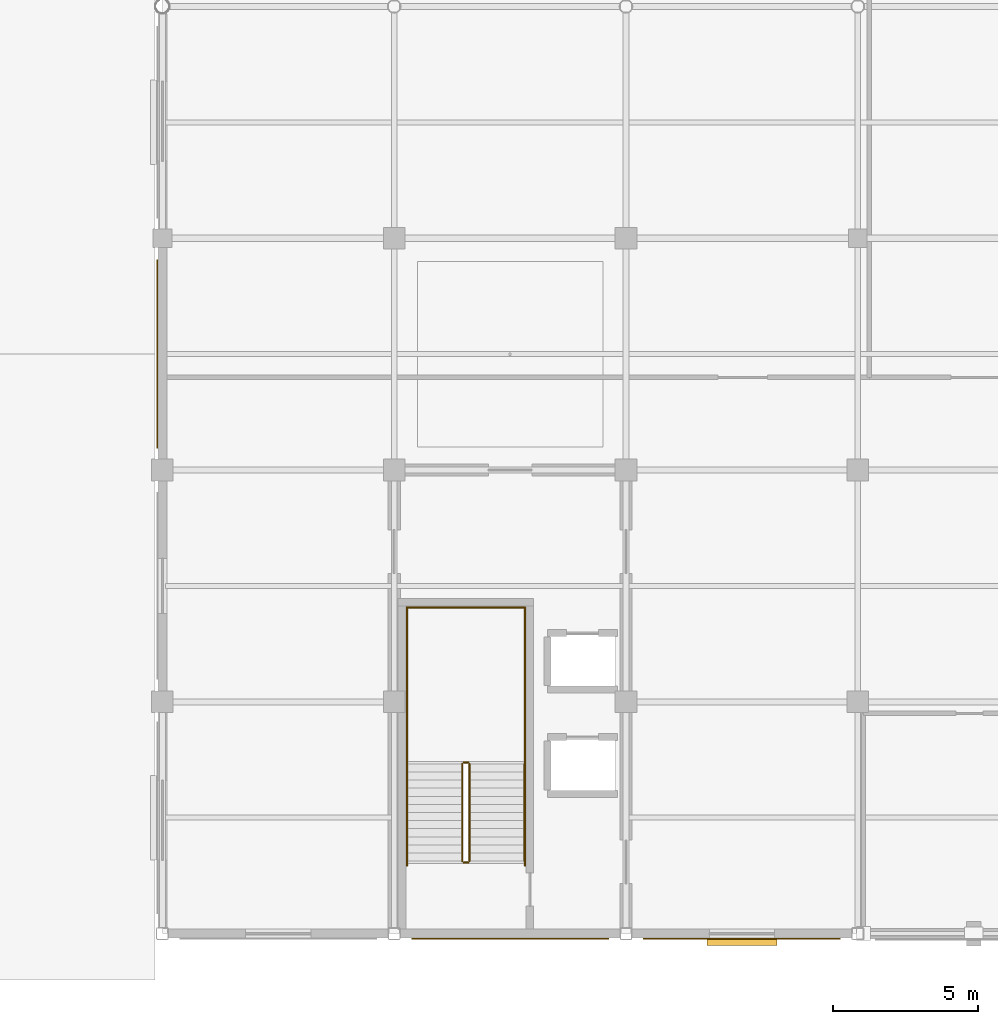
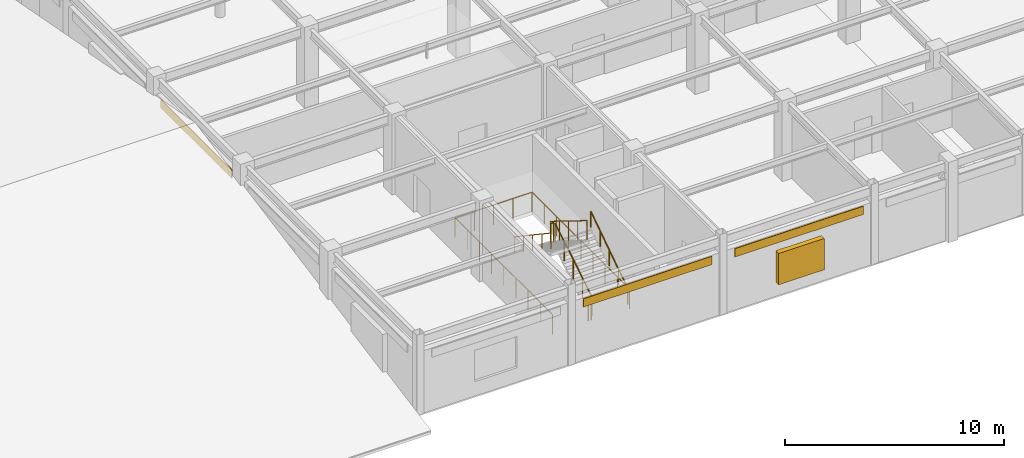
# One storey, part 100 of 111: 9 railings, 3 coverings, 1 shading device.
"""IFC4 building model written with IfcOpenShell, lengths in metres."""

from ifc_helpers import new_model, si_unit, direction, frame, origin, origin_2d, place, context, subcontext, project, spatial, rectangle, circle, extrude, material, layer, layer_set, type_object, element, save


model = new_model("IFC4")

# Units and contexts
model_context = context("Model", 3, precision=1e-05, world=origin(), true_north=direction((0.0, 1.0)))
body_context = subcontext(model_context, "Body", "Model", "MODEL_VIEW")
ifc_project = project(units=[si_unit("LENGTHUNIT", "METRE"), si_unit("AREAUNIT", "SQUARE_METRE"), si_unit("VOLUMEUNIT", "CUBIC_METRE"), si_unit("PLANEANGLEUNIT", "RADIAN"), si_unit("MASSUNIT", "GRAM", prefix="KILO")], contexts=[model_context])

# Site, building, storey
site_placement = place(None, origin())
site = spatial("IfcSite", under=ifc_project, at=site_placement, CompositionType="ELEMENT")
building_placement = place(site_placement, origin())
building = spatial("IfcBuilding", under=site, at=building_placement, Name="Solmirada Galleria", CompositionType="ELEMENT")
storey_placement = place(building_placement, frame((0.0, 0.0, 10.39990234375)))
storey = spatial("IfcBuildingStorey", under=building, at=storey_placement, Name="L02", CompositionType="ELEMENT", Elevation=10.39990234375)

# Coverings
ifc_material_1 = material(Name="Limestone cladding panels", Category="masonry")
ifc_layer_1 = layer(ifc_material_1, 0.044921875)
ifc_layer_set_1 = layer_set([ifc_layer_1], Name="Limestone cladding panels")
covering_type_1 = type_object("IfcCoveringType", Name="COV-CLAD-LIME", PredefinedType="CLADDING", material=ifc_layer_set_1)
covering_1_placement = place(storey_placement, frame((100.0, -0.177490234375, 2.990234375), z_axis=(0.0, 0.0, 1.0), x_axis=(-1.0, 0.0, 0.0)))
element("IfcCovering", 1, at=covering_1_placement, inside=storey, type_object=covering_type_1, Name="Postmodern facade cladding L02-132", PredefinedType="CLADDING", context=body_context, shape_type="SweptSolid", body=[
    extrude(rectangle(XDim=6.7939453125, YDim=0.044921875, at=origin_2d()), origin(), (0.0, 0.0, 1.0), 0.4599609375),
])
ifc_material_2 = material(Name="Glazed terracotta facade panels", Category="masonry")
ifc_layer_2 = layer(ifc_material_2, 0.0400390625)
ifc_layer_set_2 = layer_set([ifc_layer_2], Name="Glazed terracotta facade panels")
covering_type_2 = type_object("IfcCoveringType", Name="COV-CLAD-TERRA", PredefinedType="CLADDING", material=ifc_layer_set_2)
covering_2_placement = place(storey_placement, frame((92.0, -0.175048828125, 2.990234375), z_axis=(0.0, 0.0, 1.0), x_axis=(-1.0, 0.0, 0.0)))
element("IfcCovering", 2, at=covering_2_placement, inside=storey, type_object=covering_type_2, Name="Postmodern facade cladding L02-133", PredefinedType="CLADDING", context=body_context, shape_type="SweptSolid", body=[
    extrude(rectangle(XDim=6.7939453125, YDim=0.0400390625, at=origin_2d()), origin(), (0.0, 0.0, 1.0), 0.4599609375),
])
covering_3_placement = place(storey_placement, frame((79.824951171875, 20.0, 2.990234375), z_axis=(0.0, 0.0, 1.0), x_axis=(0.0, 1.0, 0.0)))
element("IfcCovering", 3, at=covering_3_placement, inside=storey, type_object=covering_type_2, Name="Postmodern facade cladding L02-137", PredefinedType="CLADDING", context=body_context, shape_type="SweptSolid", body=[
    extrude(rectangle(XDim=6.5, YDim=0.0400390625, at=origin_2d()), origin(), (0.0, 0.0, 1.0), 0.4599609375),
])

# Railings
ifc_material_3 = material(Name="Painted steel tubular railing", Category="steel")
railing_type_1 = type_object("IfcRailingType", Name="RAIL-STAIR-GUARD", PredefinedType="GUARDRAIL", material=ifc_material_3)
railing_1_placement = place(storey_placement, frame((90.60009765625, 2.5, 0.173095703125)))
element("IfcRailing", 4, at=railing_1_placement, inside=storey, type_object=railing_type_1, Name="L02 ST2 stair guard 1", PredefinedType="GUARDRAIL", context=body_context, shape_type="SweptSolid", body=[
    extrude(circle(Radius=0.02392578125, at=origin_2d()), frame((0.0, 0.0, 1.076171875), z_axis=(0.0, 0.850623216509, 0.525775754039), x_axis=(-1.0, 0.0, 0.0)), (0.0, 0.0, 1.0), 3.9501953125),
    extrude(circle(Radius=0.02099609375, at=origin_2d()), origin(), (0.0, 0.0, 1.0), 1.048095703125),
    extrude(circle(Radius=0.02099609375, at=origin_2d()), frame((0.0, 0.840087890625, 0.519287109375)), (0.0, 0.0, 1.0), 1.048095703125),
    extrude(circle(Radius=0.02099609375, at=origin_2d()), frame((0.0, 1.68017578125, 1.03857421875)), (0.0, 0.0, 1.0), 1.048095703125),
    extrude(circle(Radius=0.02099609375, at=origin_2d()), frame((0.0, 2.52001953125, 1.5576171875)), (0.0, 0.0, 1.0), 1.048095703125),
    extrude(circle(Radius=0.02099609375, at=origin_2d()), frame((0.0, 3.360107421875, 2.076904296875)), (0.0, 0.0, 1.0), 1.048095703125),
])
railing_2_placement = place(storey_placement, frame((90.550048828125, 5.909912109375, 2.25)))
element("IfcRailing", 5, at=railing_2_placement, inside=storey, type_object=railing_type_1, Name="L02 ST2 stair guard 2", PredefinedType="GUARDRAIL", context=body_context, shape_type="SweptSolid", body=[
    extrude(circle(Radius=0.02392578125, at=origin_2d()), frame((0.0, 0.0, 1.076171875), z_axis=(-1.0, 0.0, 0.0), x_axis=(0.0, -1.0, 0.0)), (0.0, 0.0, 1.0), 0.150146484375),
    extrude(circle(Radius=0.02099609375, at=origin_2d()), origin(), (0.0, 0.0, 1.0), 1.048095703125),
    extrude(circle(Radius=0.02099609375, at=origin_2d()), frame((-0.150146484375, 0.0, 0.0)), (0.0, 0.0, 1.0), 1.048095703125),
])
railing_3_placement = place(storey_placement, frame((90.35009765625, 5.860107421875, 2.423095703125)))
element("IfcRailing", 6, at=railing_3_placement, inside=storey, type_object=railing_type_1, Name="L02 ST2 stair guard 3", PredefinedType="GUARDRAIL", context=body_context, shape_type="SweptSolid", body=[
    extrude(circle(Radius=0.02392578125, at=origin_2d()), frame((0.0, 0.0, 1.076171875), z_axis=(0.0, -0.850623216509, 0.525775754039), x_axis=(1.0, 0.0, 0.0)), (0.0, 0.0, 1.0), 3.9501953125),
    extrude(circle(Radius=0.02099609375, at=origin_2d()), origin(), (0.0, 0.0, 1.0), 1.048095703125),
    extrude(circle(Radius=0.02099609375, at=origin_2d()), frame((0.0, -0.840087890625, 0.519287109375)), (0.0, 0.0, 1.0), 1.048095703125),
    extrude(circle(Radius=0.02099609375, at=origin_2d()), frame((0.0, -1.68017578125, 1.03857421875)), (0.0, 0.0, 1.0), 1.048095703125),
    extrude(circle(Radius=0.02099609375, at=origin_2d()), frame((0.0, -2.52001953125, 1.5576171875)), (0.0, 0.0, 1.0), 1.048095703125),
    extrude(circle(Radius=0.02099609375, at=origin_2d()), frame((0.0, -3.360107421875, 2.076904296875)), (0.0, 0.0, 1.0), 1.048095703125),
])
railing_4_placement = place(storey_placement, frame((90.550048828125, 2.449951171875, 0.0)))
element("IfcRailing", 7, at=railing_4_placement, inside=storey, type_object=railing_type_1, Name="L02 ST2 stair guard 4", PredefinedType="GUARDRAIL", context=body_context, shape_type="SweptSolid", body=[
    extrude(circle(Radius=0.02392578125, at=origin_2d()), frame((0.0, 0.0, 1.076171875), z_axis=(-1.0, 0.0, 0.0), x_axis=(0.0, -1.0, 0.0)), (0.0, 0.0, 1.0), 0.150146484375),
    extrude(circle(Radius=0.02099609375, at=origin_2d()), origin(), (0.0, 0.0, 1.0), 1.048095703125),
    extrude(circle(Radius=0.02099609375, at=origin_2d()), frame((-0.150146484375, 0.0, 0.0)), (0.0, 0.0, 1.0), 1.048095703125),
])
railing_5_placement = place(storey_placement, frame((88.43994140625, 2.35009765625, 0.0)))
element("IfcRailing", 8, at=railing_5_placement, inside=storey, type_object=railing_type_1, Name="Stair ST2 well edge guard L02-1", PredefinedType="GUARDRAIL", context=body_context, shape_type="SweptSolid", body=[
    extrude(circle(Radius=0.02392578125, at=origin_2d()), frame((0.0, 0.0, 1.09619140625), z_axis=(0.0, 1.0, 0.0), x_axis=(-1.0, 0.0, 0.0)), (0.0, 0.0, 1.0), 8.909912109375),
    extrude(circle(Radius=0.02099609375, at=origin_2d()), origin(), (0.0, 0.0, 1.0), 1.068115234375),
    extrude(circle(Radius=0.02099609375, at=origin_2d()), frame((0.0, 1.11376953125, 0.0)), (0.0, 0.0, 1.0), 1.068115234375),
    extrude(circle(Radius=0.02099609375, at=origin_2d()), frame((0.0, 2.2275390625, 0.0)), (0.0, 0.0, 1.0), 1.068115234375),
    extrude(circle(Radius=0.02099609375, at=origin_2d()), frame((0.0, 3.34130859375, 0.0)), (0.0, 0.0, 1.0), 1.068115234375),
    extrude(circle(Radius=0.02099609375, at=origin_2d()), frame((0.0, 4.455078125, 0.0)), (0.0, 0.0, 1.0), 1.068115234375),
    extrude(circle(Radius=0.02099609375, at=origin_2d()), frame((0.0, 5.568603515625, 0.0)), (0.0, 0.0, 1.0), 1.068115234375),
    extrude(circle(Radius=0.02099609375, at=origin_2d()), frame((0.0, 6.682373046875, 0.0)), (0.0, 0.0, 1.0), 1.068115234375),
    extrude(circle(Radius=0.02099609375, at=origin_2d()), frame((0.0, 7.796142578125, 0.0)), (0.0, 0.0, 1.0), 1.068115234375),
    extrude(circle(Radius=0.02099609375, at=origin_2d()), frame((0.0, 8.909912109375, 0.0)), (0.0, 0.0, 1.0), 1.068115234375),
])
railing_6_placement = place(storey_placement, frame((88.43994140625, 11.260009765625, 0.0)))
element("IfcRailing", 9, at=railing_6_placement, inside=storey, type_object=railing_type_1, Name="Stair ST2 well edge guard L02-2", PredefinedType="GUARDRAIL", context=body_context, shape_type="SweptSolid", body=[
    extrude(circle(Radius=0.02392578125, at=origin_2d()), frame((0.0, 0.0, 1.09619140625), z_axis=(1.0, 0.0, 0.0), x_axis=(0.0, 1.0, 0.0)), (0.0, 0.0, 1.0), 4.070068359375),
    extrude(circle(Radius=0.02099609375, at=origin_2d()), origin(), (0.0, 0.0, 1.0), 1.068115234375),
    extrude(circle(Radius=0.02099609375, at=origin_2d()), frame((1.017578125, 0.0, 0.0)), (0.0, 0.0, 1.0), 1.068115234375),
    extrude(circle(Radius=0.02099609375, at=origin_2d()), frame((2.03515625, 0.0, 0.0)), (0.0, 0.0, 1.0), 1.068115234375),
    extrude(circle(Radius=0.02099609375, at=origin_2d()), frame((3.052490234375, 0.0, 0.0)), (0.0, 0.0, 1.0), 1.068115234375),
    extrude(circle(Radius=0.02099609375, at=origin_2d()), frame((4.070068359375, 0.0, 0.0)), (0.0, 0.0, 1.0), 1.068115234375),
])
railing_7_placement = place(storey_placement, frame((92.510009765625, 11.260009765625, 0.0)))
element("IfcRailing", 10, at=railing_7_placement, inside=storey, type_object=railing_type_1, Name="Stair ST2 well edge guard L02-3", PredefinedType="GUARDRAIL", context=body_context, shape_type="SweptSolid", body=[
    extrude(circle(Radius=0.02392578125, at=origin_2d()), frame((0.0, 0.0, 1.09619140625), z_axis=(0.0, -1.0, 0.0), x_axis=(1.0, 0.0, 0.0)), (0.0, 0.0, 1.0), 8.909912109375),
    extrude(circle(Radius=0.02099609375, at=origin_2d()), origin(), (0.0, 0.0, 1.0), 1.068115234375),
    extrude(circle(Radius=0.02099609375, at=origin_2d()), frame((0.0, -1.11376953125, 0.0)), (0.0, 0.0, 1.0), 1.068115234375),
    extrude(circle(Radius=0.02099609375, at=origin_2d()), frame((0.0, -2.2275390625, 0.0)), (0.0, 0.0, 1.0), 1.068115234375),
    extrude(circle(Radius=0.02099609375, at=origin_2d()), frame((0.0, -3.34130859375, 0.0)), (0.0, 0.0, 1.0), 1.068115234375),
    extrude(circle(Radius=0.02099609375, at=origin_2d()), frame((0.0, -4.455078125, 0.0)), (0.0, 0.0, 1.0), 1.068115234375),
    extrude(circle(Radius=0.02099609375, at=origin_2d()), frame((0.0, -5.568603515625, 0.0)), (0.0, 0.0, 1.0), 1.068115234375),
    extrude(circle(Radius=0.02099609375, at=origin_2d()), frame((0.0, -6.682373046875, 0.0)), (0.0, 0.0, 1.0), 1.068115234375),
    extrude(circle(Radius=0.02099609375, at=origin_2d()), frame((0.0, -7.796142578125, 0.0)), (0.0, 0.0, 1.0), 1.068115234375),
    extrude(circle(Radius=0.02099609375, at=origin_2d()), frame((0.0, -8.909912109375, 0.0)), (0.0, 0.0, 1.0), 1.068115234375),
])
railing_type_2 = type_object("IfcRailingType", Name="RAIL-STAIR-HAND", PredefinedType="HANDRAIL", material=ifc_material_3)
railing_8_placement = place(storey_placement, frame((92.5, 2.5, 0.173095703125)))
element("IfcRailing", 11, at=railing_8_placement, inside=storey, type_object=railing_type_2, Name="L02 ST2 stair handrail 1", PredefinedType="HANDRAIL", context=body_context, shape_type="SweptSolid", body=[
    extrude(circle(Radius=0.02392578125, at=origin_2d()), frame((0.0, 0.0, 0.8759765625), z_axis=(0.0, 0.830915400975, 0.556398774641), x_axis=(-1.0, 0.0, 0.0)), (0.0, 0.0, 1.0), 4.0439453125),
    extrude(circle(Radius=0.02099609375, at=origin_2d()), origin(), (0.0, 0.0, 1.0), 0.847900390625),
    extrude(circle(Radius=0.02099609375, at=origin_2d()), frame((0.0, 0.840087890625, 0.5625)), (0.0, 0.0, 1.0), 0.847900390625),
    extrude(circle(Radius=0.02099609375, at=origin_2d()), frame((0.0, 1.68017578125, 1.125)), (0.0, 0.0, 1.0), 0.847900390625),
    extrude(circle(Radius=0.02099609375, at=origin_2d()), frame((0.0, 2.52001953125, 1.6875)), (0.0, 0.0, 1.0), 0.847900390625),
    extrude(circle(Radius=0.02099609375, at=origin_2d()), frame((0.0, 3.360107421875, 2.25)), (0.0, 0.0, 1.0), 0.847900390625),
])
railing_9_placement = place(storey_placement, frame((88.449951171875, 5.860107421875, 2.423095703125)))
element("IfcRailing", 12, at=railing_9_placement, inside=storey, type_object=railing_type_2, Name="L02 ST2 stair handrail 2", PredefinedType="HANDRAIL", context=body_context, shape_type="SweptSolid", body=[
    extrude(circle(Radius=0.02392578125, at=origin_2d()), frame((0.0, 0.0, 0.8759765625), z_axis=(0.0, -0.830915400975, 0.556398774641), x_axis=(1.0, 0.0, 0.0)), (0.0, 0.0, 1.0), 4.0439453125),
    extrude(circle(Radius=0.02099609375, at=origin_2d()), origin(), (0.0, 0.0, 1.0), 0.847900390625),
    extrude(circle(Radius=0.02099609375, at=origin_2d()), frame((0.0, -0.840087890625, 0.5625)), (0.0, 0.0, 1.0), 0.847900390625),
    extrude(circle(Radius=0.02099609375, at=origin_2d()), frame((0.0, -1.68017578125, 1.125)), (0.0, 0.0, 1.0), 0.847900390625),
    extrude(circle(Radius=0.02099609375, at=origin_2d()), frame((0.0, -2.52001953125, 1.6875)), (0.0, 0.0, 1.0), 0.847900390625),
    extrude(circle(Radius=0.02099609375, at=origin_2d()), frame((0.0, -3.360107421875, 2.25)), (0.0, 0.0, 1.0), 0.847900390625),
])

# Shading device
ifc_material_4 = material(Name="Extruded aluminium storm louvres", Category="aluminium")
shading_device_type = type_object("IfcShadingDeviceType", Name="SHD-JALOUSIE", PredefinedType="JALOUSIE", material=ifc_material_4)
shading_device_placement = place(storey_placement, frame((100.0, -0.284912109375, 0.800048828125), z_axis=(0.0, 0.0, 1.0), x_axis=(-1.0, 0.0, 0.0)))
element("IfcShadingDevice", 13, at=shading_device_placement, inside=storey, type_object=shading_device_type, Name="Hurricane storm jalousie louvre 052", PredefinedType="JALOUSIE", context=body_context, shape_type="SweptSolid", body=[
    extrude(rectangle(XDim=2.409912109375, YDim=0.260009765625, at=origin_2d()), origin(), (0.0, 0.0, 1.0), 1.75),
])

save(model, "model.ifc")
